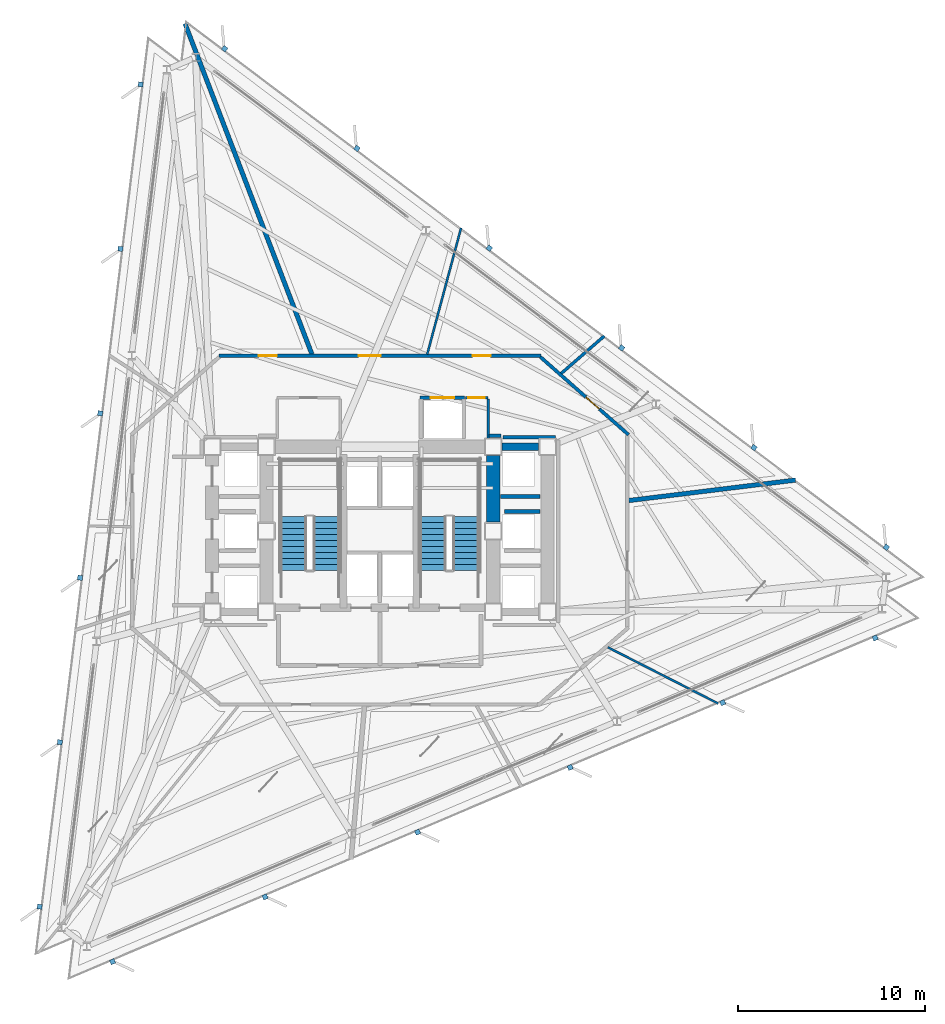
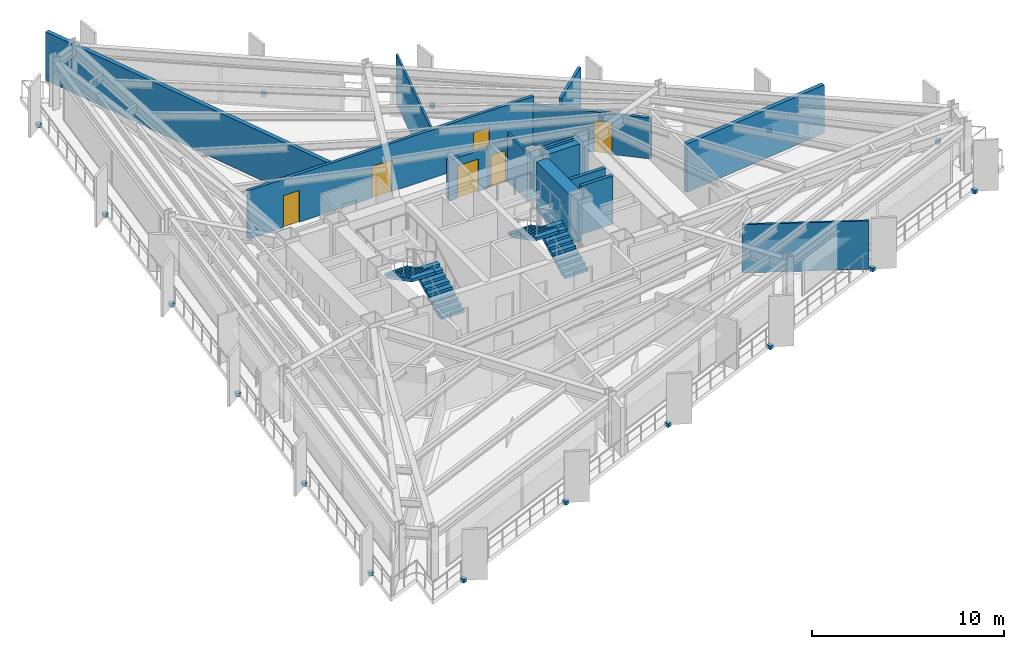
# One storey, part 8 of 13: 18 discrete accessories, 16 walls, 6 doors, 4 stair flights, 6 openings, 2 elements without a shape of their own.
"""IFC4 building model written with IfcOpenShell, lengths in metres."""

import ifcopenshell
import ifcopenshell.guid

model = None  # the IFC model being written
_history = None  # IfcOwnerHistory: only IFC2X3 demands one
_inside = {}  # id of a spatial element -> (the spatial element, [elements in it])
_under = {}  # id of a project, library or spatial element -> (it, [spatial elements below it])
_declared = {}  # id of a project -> (the project, [libraries it declares])
_typed = {}  # id of a type object -> (the type object, [elements of that type])
_made_of = {}  # id of a material, layer set ... -> (it, [elements and type objects made of it])


def new_model(schema):
    """Start an empty IFC model of exactly this schema.

    Asked for "IFC4X3", IfcOpenShell would pick the latest addendum, in which some entities
    have other attributes; the version numbers below select the first issue.
    IFC2X3 requires an IfcOwnerHistory on every rooted entity: one is made here for all.
    """
    global model, _history
    if schema == "IFC4X3":
        model = ifcopenshell.file(schema_version=(4, 3, 0, 0))
    else:
        model = ifcopenshell.file(schema=schema)
    _inside.clear()
    _under.clear()
    _declared.clear()
    _typed.clear()
    _made_of.clear()
    _history = None
    if model.schema == "IFC2X3":
        org = make("IfcOrganization", Name="unknown")
        user = make(
            "IfcPersonAndOrganization",
            ThePerson=make("IfcPerson", FamilyName="unknown"),
            TheOrganization=org,
        )
        app = make(
            "IfcApplication",
            ApplicationDeveloper=org,
            Version="unknown",
            ApplicationFullName="unknown",
            ApplicationIdentifier="unknown",
        )
        _history = make(
            "IfcOwnerHistory",
            OwningUser=user,
            OwningApplication=app,
            ChangeAction="ADDED",
            CreationDate=0,
        )
    return model


def make(cls, **values):
    """One entity of the class cls with the attributes given. An attribute that is None is left unset."""
    return model.create_entity(
        cls, **{name: value for name, value in values.items() if value is not None}
    )


def rooted(cls, **values):
    """An entity with a GlobalId (a new one), such as an element, a storey or a relation."""
    return make(cls, GlobalId=ifcopenshell.guid.new(), OwnerHistory=_history, **values)


def si_unit(unit_type, name, prefix=None):
    """IfcSIUnit, for example si_unit("LENGTHUNIT", "METRE", prefix="MILLI")."""
    return make("IfcSIUnit", UnitType=unit_type, Prefix=prefix, Name=name)


def assignment(units):
    """IfcUnitAssignment: the units of a project."""
    return None if units is None else make("IfcUnitAssignment", Units=units)


def point(xyz):
    """IfcCartesianPoint."""
    return None if xyz is None else make("IfcCartesianPoint", Coordinates=xyz)


def direction(xyz):
    """IfcDirection."""
    return None if xyz is None else make("IfcDirection", DirectionRatios=xyz)


def frame(location, z_axis=None, x_axis=None):
    """IfcAxis2Placement3D, a coordinate frame: its origin and axes. An axis left out is left unset."""
    return make(
        "IfcAxis2Placement3D",
        Location=point(location),
        Axis=direction(z_axis),
        RefDirection=direction(x_axis),
    )


def frame_2d(location, x_axis=None):
    """IfcAxis2Placement2D, a coordinate frame in the plane: its origin and x axis."""
    return make(
        "IfcAxis2Placement2D", Location=point(location), RefDirection=direction(x_axis)
    )


def origin():
    """The frame at (0, 0, 0) with its axes left unset."""
    return frame((0.0, 0.0, 0.0))


def origin_2d():
    """The frame at (0, 0) in the plane with its x axis left unset."""
    return frame_2d((0.0, 0.0))


def place(relative_to, where):
    """IfcLocalPlacement: puts the frame where relative to a parent placement (None: the world)."""
    return make(
        "IfcLocalPlacement", PlacementRelTo=relative_to, RelativePlacement=where
    )


def context(
    kind, dimensions, precision=None, world=None, true_north=None, identifier=None
):
    """IfcGeometricRepresentationContext, for example the 3D "Model" context."""
    return make(
        "IfcGeometricRepresentationContext",
        ContextIdentifier=identifier,
        ContextType=kind,
        CoordinateSpaceDimension=dimensions,
        Precision=precision,
        WorldCoordinateSystem=world,
        TrueNorth=true_north,
    )


def subcontext(parent, identifier, kind, view, scale=None):
    """IfcGeometricRepresentationSubContext, for example "Body" below "Model"."""
    return make(
        "IfcGeometricRepresentationSubContext",
        ContextIdentifier=identifier,
        ContextType=kind,
        ParentContext=parent,
        TargetScale=scale,
        TargetView=view,
    )


def project(units=None, contexts=None):
    """IfcProject with its units and contexts."""
    return rooted(
        "IfcProject",
        Name="project",
        RepresentationContexts=contexts,
        UnitsInContext=assignment(units),
    )


def spatial(cls, under=None, at=None, **own):
    """A site, building, storey or space (cls), placed at a placement, below another one or the project."""
    s = rooted(cls, ObjectPlacement=at, **own)
    if under is not None:
        _under.setdefault(under.id(), (under, []))[1].append(s)
    return s


def polyline(points):
    """IfcPolyline through the points."""
    return make("IfcPolyline", Points=[point(p) for p in points])


def profile(cls, at=None, kind="AREA", **sizes):
    """A parametric profile (cls). Its sizes go by their IFC names, for example OverallWidth=200.0."""
    return make(cls, ProfileType=kind, Position=at, **sizes)


def rectangle(**sizes):
    """IfcRectangleProfileDef."""
    return profile("IfcRectangleProfileDef", **sizes)


def outline(outer, holes=None, kind="AREA"):
    """IfcArbitraryClosedProfileDef: a profile drawn as a closed curve; with holes, ...WithVoids."""
    if holes is None:
        return make("IfcArbitraryClosedProfileDef", ProfileType=kind, OuterCurve=outer)
    return make(
        "IfcArbitraryProfileDefWithVoids",
        ProfileType=kind,
        OuterCurve=outer,
        InnerCurves=holes,
    )


def extrude(swept, where, along, depth):
    """IfcExtrudedAreaSolid: the profile swept, set in the frame where, extruded along a direction by depth."""
    return make(
        "IfcExtrudedAreaSolid",
        SweptArea=swept,
        Position=where,
        ExtrudedDirection=direction(along),
        Depth=depth,
    )


def shape(context_of_items, identifier, shape_type, items):
    """IfcShapeRepresentation: the items that make up one representation, for example the "Body"."""
    return make(
        "IfcShapeRepresentation",
        ContextOfItems=context_of_items,
        RepresentationIdentifier=identifier,
        RepresentationType=shape_type,
        Items=items,
    )


def material(Name=None, Category=None):
    """IfcMaterial."""
    return make("IfcMaterial", Name=Name, Category=Category)


def layer(
    of_material, thickness, ventilated=None, Name=None, Category=None, Priority=None
):
    """IfcMaterialLayer: one layer of a wall or slab, of a material (None: an air gap)."""
    return make(
        "IfcMaterialLayer",
        Material=of_material,
        LayerThickness=thickness,
        IsVentilated=ventilated,
        Name=Name,
        Category=Category,
        Priority=Priority,
    )


def layer_set(layers, Name=None):
    """IfcMaterialLayerSet."""
    return make("IfcMaterialLayerSet", MaterialLayers=layers, LayerSetName=Name)


def made_of(thing, what):
    """Note that an element or type object is made of a material, layer set ...; save() writes the relation."""
    if what is not None:
        _made_of.setdefault(what.id(), (what, []))[1].append(thing)
    return thing


def type_object(cls, material=None, **own):
    """A type object (cls), such as IfcWallType, which elements share."""
    return made_of(rooted(cls, **own), material)


def element(
    cls,
    number,
    at=None,
    inside=None,
    cuts=None,
    type_object=None,
    material=None,
    context=None,
    identifier="Body",
    shape_type=None,
    held_by="IfcProductDefinitionShape",
    body=None,
    shapes=None,
    **own,
):
    """One element of the class cls, such as IfcWall. Its Tag is "e" and its number.

    at: its placement. inside: the storey or other place that contains it. cuts: it is an
    opening in that element (IfcRelVoidsElement). A single representation is given by context,
    identifier, shape_type and body (its items); several are given by shapes. held_by: the class
    of the entity that holds the representations. save() writes the other relations.
    """
    e = rooted(cls, Tag="e%d" % number, ObjectPlacement=at, **own)
    if body is not None:
        shapes = [shape(context, identifier, shape_type, body)]
    if shapes is not None:
        e.Representation = make(held_by, Representations=shapes)
    if inside is not None:
        _inside.setdefault(inside.id(), (inside, []))[1].append(e)
    if cuts is not None:
        rooted(
            "IfcRelVoidsElement", RelatingBuildingElement=cuts, RelatedOpeningElement=e
        )
    if type_object is not None:
        _typed.setdefault(type_object.id(), (type_object, []))[1].append(e)
    return made_of(e, material)


def fill(opening, filler):
    """IfcRelFillsElement: the door or window that sits in an opening."""
    return rooted(
        "IfcRelFillsElement",
        RelatingOpeningElement=opening,
        RelatedBuildingElement=filler,
    )


def aggregate(whole, parts):
    """IfcRelAggregates: a whole, such as a stair, and the parts it consists of."""
    return rooted("IfcRelAggregates", RelatingObject=whole, RelatedObjects=parts)


def save(model, path):
    """Write the relations noted so far, then the file.

    IfcRelAggregates (storeys below a building ...), IfcRelContainedInSpatialStructure (elements
    in a storey), IfcRelDefinesByType, IfcRelAssociatesMaterial and IfcRelDeclares: one each for
    every whole, place, type object, material and project.
    """
    for whole, parts in _under.values():
        aggregate(whole, parts)
    for where, things in _inside.values():
        rooted(
            "IfcRelContainedInSpatialStructure",
            RelatedElements=things,
            RelatingStructure=where,
        )
    for kind, things in _typed.values():
        rooted("IfcRelDefinesByType", RelatedObjects=things, RelatingType=kind)
    for what, things in _made_of.values():
        rooted("IfcRelAssociatesMaterial", RelatedObjects=things, RelatingMaterial=what)
    for by, libraries in _declared.values():
        rooted("IfcRelDeclares", RelatingContext=by, RelatedDefinitions=libraries)
    model.write(path)


model = new_model("IFC4")

# Units and contexts
model_context = context("Model", 3, precision=1e-05, world=origin(), true_north=direction((0.0, 1.0)))
body_context = subcontext(model_context, "Body", "Model", "MODEL_VIEW")
ifc_project = project(units=[si_unit("LENGTHUNIT", "METRE"), si_unit("AREAUNIT", "SQUARE_METRE"), si_unit("VOLUMEUNIT", "CUBIC_METRE"), si_unit("PLANEANGLEUNIT", "RADIAN"), si_unit("MASSUNIT", "GRAM", prefix="KILO")], contexts=[model_context])

# Site, building, storey
site_placement = place(None, origin())
site = spatial("IfcSite", under=ifc_project, at=site_placement, CompositionType="ELEMENT")
building_placement = place(site_placement, origin())
building = spatial("IfcBuilding", under=site, at=building_placement, Name="Rocaltana Carrier Exchange", CompositionType="ELEMENT")
storey_placement = place(building_placement, frame((0.0, 0.0, 66.39990234375)))
storey = spatial("IfcBuildingStorey", under=building, at=storey_placement, Name="L20", CompositionType="ELEMENT", Elevation=66.39990234375)

# Walls
ifc_material_1 = material(Name="Double Acoustic Gypsum Partition", Category="gypsum")
ifc_layer_1 = layer(ifc_material_1, 0.159912109375)
ifc_layer_set_1 = layer_set([ifc_layer_1], Name="Double Acoustic Gypsum Partition")
wall_type_1 = type_object("IfcWallType", Name="Acoustic Studio Partition 160 EI60", PredefinedType="PARTITIONING", material=ifc_layer_set_1)
wall_1_placement = place(storey_placement, frame((9.68017578125, 8.414794921875, 0.0), z_axis=(0.0, 0.0, 1.0), x_axis=(0.754716123846, 0.656051501337, 0.0)))
element("IfcWall", 1, at=wall_1_placement, inside=storey, type_object=wall_type_1, Name="L20 Suite Divider Wall D7", PredefinedType="PARTITIONING", context=body_context, shape_type="SweptSolid", body=[
    extrude(rectangle(XDim=3.041015625, YDim=0.159912109375, at=frame_2d((1.5205078125, 0.0))), origin(), (0.0, 0.0, 1.0), 3.072998046875),
])
ifc_material_2 = material(Name="Concrete C50/60", Category="concrete")
ifc_layer_2 = layer(ifc_material_2, 0.39990234375)
ifc_layer_set_2 = layer_set([ifc_layer_2], Name="Concrete C50/60")
wall_type_2 = type_object("IfcWallType", Name="Core Internal Shear Wall 400", PredefinedType="SHEAR", material=ifc_layer_set_2)
wall_2_placement = place(storey_placement, frame((6.52490234375, 4.5, 0.0), z_axis=(0.0, 0.0, 1.0), x_axis=(1.0, 0.0, 0.0)))
element("IfcWall", 2, at=wall_2_placement, inside=storey, type_object=wall_type_2, Name="L20 Core Shear Wall CW-EWN", PredefinedType="SHEAR", context=body_context, shape_type="SweptSolid", body=[
    extrude(rectangle(XDim=1.9501953125, YDim=0.39990234375, at=frame_2d((0.97509765625, 0.0))), origin(), (0.0, 0.0, 1.0), 3.09814453125),
])
ifc_material_3 = material(Name="Concrete C60/75", Category="concrete")
ifc_layer_3 = layer(ifc_material_3, 0.699951171875)
ifc_layer_set_3 = layer_set([ifc_layer_3], Name="Concrete C60/75")
wall_type_3 = type_object("IfcWallType", Name="Core Shear Wall 700", PredefinedType="SHEAR", material=ifc_layer_set_3)
wall_3_placement = place(storey_placement, frame((6.050048828125, 0.47509765625, 0.0), z_axis=(0.0, 0.0, 1.0), x_axis=(0.0, 1.0, 0.0)))
element("IfcWall", 3, at=wall_3_placement, inside=storey, type_object=wall_type_3, Name="L20 Core Shear Wall CW-EN", PredefinedType="SHEAR", context=body_context, shape_type="SweptSolid", body=[
    extrude(rectangle(XDim=3.5498046875, YDim=0.699951171875, at=frame_2d((1.77490234375, 0.0))), origin(), (0.0, 0.0, 1.0), 3.09814453125),
])

# Wall, openings, doors
ifc_material_4 = material(Name="Gypsum & Steel Stud Partition", Category="steel")
ifc_layer_4 = layer(ifc_material_4, 0.179931640625)
ifc_layer_set_4 = layer_set([ifc_layer_4], Name="Gypsum & Steel Stud Partition")
wall_type_4 = type_object("IfcWallType", Name="Corridor Fire Partition 180 EI60", PredefinedType="PARTITIONING", material=ifc_layer_set_4)
wall_4_placement = place(storey_placement, frame((-8.590087890625, 9.35009765625, 0.0), z_axis=(0.0, 0.0, 1.0), x_axis=(1.0, 0.0, 0.0)))
wall_4 = element("IfcWall", 4, at=wall_4_placement, inside=storey, type_object=wall_type_4, Name="L20 Corridor Partition 1", PredefinedType="PARTITIONING", context=body_context, shape_type="SweptSolid", body=[
    extrude(rectangle(XDim=17.18017578125, YDim=0.179931640625, at=frame_2d((8.590087890625, 0.0))), origin(), (0.0, 0.0, 1.0), 3.072998046875),
])
opening_1_placement = place(wall_4_placement, frame((13.53955078125, 0.0, 0.0)))
opening_1 = element("IfcOpeningElement", 5, at=opening_1_placement, cuts=wall_4, Name="Opening D-RM098", PredefinedType="OPENING", context=body_context, shape_type="SweptSolid", body=[
    extrude(rectangle(XDim=0.9599609375, YDim=2.02001953125, at=frame_2d((0.47998046875, 1.010009765625))), frame((0.0, 0.099853515625, 0.0), z_axis=(0.0, -1.0, 0.0), x_axis=(1.0, 0.0, 0.0)), (0.0, 0.0, 1.0), 0.199951171875),
])
opening_2_placement = place(wall_4_placement, frame((7.453369140625, 0.0, 0.0)))
opening_2 = element("IfcOpeningElement", 6, at=opening_2_placement, cuts=wall_4, Name="Opening D-SU120", PredefinedType="OPENING", context=body_context, shape_type="SweptSolid", body=[
    extrude(rectangle(XDim=1.179931640625, YDim=2.02001953125, at=frame_2d((0.58984375, 1.010009765625))), frame((0.0, 0.099853515625, 0.0), z_axis=(0.0, -1.0, 0.0), x_axis=(1.0, 0.0, 0.0)), (0.0, 0.0, 1.0), 0.199951171875),
])
opening_3_placement = place(wall_4_placement, frame((2.132568359375, 0.0, 0.0)))
opening_3 = element("IfcOpeningElement", 7, at=opening_3_placement, cuts=wall_4, Name="Opening D-RM098", PredefinedType="OPENING", context=body_context, shape_type="SweptSolid", body=[
    extrude(rectangle(XDim=0.9599609375, YDim=2.02001953125, at=frame_2d((0.47998046875, 1.010009765625))), frame((0.0, 0.099853515625, 0.0), z_axis=(0.0, -1.0, 0.0), x_axis=(1.0, 0.0, 0.0)), (0.0, 0.0, 1.0), 0.199951171875),
])
ifc_material_5 = material(Name="Engineered Hardwood Timber", Category="wood")
door_type_1 = type_object("IfcDoorType", Name="Suite Double Entrance Door 1180x2020", OperationType="NOTDEFINED", PredefinedType="DOOR", material=ifc_material_5)
door_1_placement = place(opening_2_placement, origin())
door_1 = element("IfcDoor", 8, at=door_1_placement, inside=storey, type_object=door_type_1, Name="L20 Carrier Peering Suite Entrance Door", OperationType="SINGLE_SWING_LEFT", OverallHeight=2.02001953125, OverallWidth=1.179931640625, PredefinedType="DOOR", context=body_context, shape_type="SweptSolid", body=[
    extrude(rectangle(XDim=1.179931640625, YDim=2.02001953125, at=frame_2d((0.58984375, 1.010009765625))), frame((0.0, 0.02490234375, 0.0), z_axis=(0.0, -1.0, 0.0), x_axis=(1.0, 0.0, 0.0)), (0.0, 0.0, 1.0), 0.050048828125),
])
fill(opening_2, door_1)
ifc_material_6 = material(Name="Engineered Hardwood Timber", Category="wood")
door_type_2 = type_object("IfcDoorType", Name="Workspace Single Door 960x2020", OperationType="NOTDEFINED", PredefinedType="DOOR", material=ifc_material_6)
door_2_placement = place(opening_1_placement, origin())
door_2 = element("IfcDoor", 9, at=door_2_placement, inside=storey, type_object=door_type_2, Name="L20 Quiet Focus Lounge Entrance Door", OperationType="SINGLE_SWING_RIGHT", OverallHeight=2.02001953125, OverallWidth=0.9599609375, PredefinedType="DOOR", context=body_context, shape_type="SweptSolid", body=[
    extrude(rectangle(XDim=0.9599609375, YDim=2.02001953125, at=frame_2d((0.47998046875, 1.010009765625))), frame((0.0, 0.02490234375, 0.0), z_axis=(0.0, -1.0, 0.0), x_axis=(1.0, 0.0, 0.0)), (0.0, 0.0, 1.0), 0.050048828125),
])
fill(opening_1, door_2)
door_3_placement = place(opening_3_placement, origin())
door_3 = element("IfcDoor", 10, at=door_3_placement, inside=storey, type_object=door_type_2, Name="L20 Client Reception Foyer Entrance Door", OperationType="SINGLE_SWING_RIGHT", OverallHeight=2.02001953125, OverallWidth=0.9599609375, PredefinedType="DOOR", context=body_context, shape_type="SweptSolid", body=[
    extrude(rectangle(XDim=0.9599609375, YDim=2.02001953125, at=frame_2d((0.47998046875, 1.010009765625))), frame((0.0, 0.02490234375, 0.0), z_axis=(0.0, -1.0, 0.0), x_axis=(1.0, 0.0, 0.0)), (0.0, 0.0, 1.0), 0.050048828125),
])
fill(opening_3, door_3)

# Wall, opening, door
wall_5_placement = place(storey_placement, frame((8.5673828125, 9.290283203125, 0.0), z_axis=(0.0, 0.0, 1.0), x_axis=(0.749626463267, -0.66186113768, 0.0)))
wall_5 = element("IfcWall", 11, at=wall_5_placement, inside=storey, type_object=wall_type_4, Name="L20 Corridor Partition 2", PredefinedType="PARTITIONING", context=body_context, shape_type="SweptSolid", body=[
    extrude(rectangle(XDim=6.27001953125, YDim=0.179931640625, at=frame_2d((3.135009765625, 0.0))), origin(), (0.0, 0.0, 1.0), 2.587158203125),
])
opening_4_placement = place(wall_5_placement, frame((3.23193359375, 0.0, 0.0)))
opening_4 = element("IfcOpeningElement", 12, at=opening_4_placement, cuts=wall_5, Name="Opening D-RM098", PredefinedType="OPENING", context=body_context, shape_type="SweptSolid", body=[
    extrude(rectangle(XDim=0.9599609375, YDim=2.02001953125, at=frame_2d((0.47998046875, 1.010009765625))), frame((0.0, 0.099853515625, 0.0), z_axis=(0.0, -1.0, 0.0), x_axis=(1.0, 0.0, 0.0)), (0.0, 0.0, 1.0), 0.199951171875),
])
door_4_placement = place(opening_4_placement, origin())
door_4 = element("IfcDoor", 13, at=door_4_placement, inside=storey, type_object=door_type_2, Name="L20 Client Reception Foyer Entrance Door", OperationType="SINGLE_SWING_LEFT", OverallHeight=2.02001953125, OverallWidth=0.9599609375, PredefinedType="DOOR", context=body_context, shape_type="SweptSolid", body=[
    extrude(rectangle(XDim=0.9599609375, YDim=2.02001953125, at=frame_2d((0.47998046875, 1.010009765625))), frame((0.0, 0.02490234375, 0.0), z_axis=(0.0, -1.0, 0.0), x_axis=(1.0, 0.0, 0.0)), (0.0, 0.0, 1.0), 0.050048828125),
])
fill(opening_4, door_4)

# Walls
wall_6_placement = place(storey_placement, frame((9.3701171875, 5.010009765625, 0.0), z_axis=(0.0, 0.0, 1.0), x_axis=(-1.0, 0.0, 0.0)))
element("IfcWall", 14, at=wall_6_placement, inside=storey, type_object=wall_type_4, Name="L20 Corridor Partition 18", PredefinedType="PARTITIONING", context=body_context, shape_type="SweptSolid", body=[
    extrude(rectangle(XDim=2.807861328125, YDim=0.179931640625, at=frame_2d((1.40380859375, 0.0))), origin(), (0.0, 0.0, 1.0), 3.072998046875),
])
wall_7_placement = place(storey_placement, frame((6.469970703125, 5.080078125, 0.0), z_axis=(0.0, 0.0, 1.0), x_axis=(-1.0, 0.0, 0.0)))
element("IfcWall", 15, at=wall_7_placement, inside=storey, type_object=wall_type_4, Name="L20 Corridor Partition 19", PredefinedType="PARTITIONING", context=body_context, shape_type="SweptSolid", body=[
    extrude(rectangle(XDim=0.64990234375, YDim=0.179931640625, at=frame_2d((0.324951171875, 0.0))), origin(), (0.0, 0.0, 1.0), 3.072998046875),
])
ifc_material_7 = material(Name="Aluminium 6063-T6 & Acoustic Glass", Category="aluminium")
ifc_layer_5 = layer(ifc_material_7, 0.114990234375)
ifc_layer_set_5 = layer_set([ifc_layer_5], Name="Aluminium 6063-T6 & Acoustic Glass")
wall_type_5 = type_object("IfcWallType", Name="Demountable Glazed Lab Partition 115", PredefinedType="MOVABLE", material=ifc_layer_set_5)
wall_8_placement = place(storey_placement, frame((12.164306640625, -6.197998046875, 0.0), z_axis=(0.0, 0.0, 1.0), x_axis=(0.891002560884, -0.453998278079, 0.0)))
element("IfcWall", 16, at=wall_8_placement, inside=storey, type_object=wall_type_5, Name="L20 Suite Divider Wall D5", PredefinedType="MOVABLE", context=body_context, shape_type="SweptSolid", body=[
    extrude(rectangle(XDim=6.6083984375, YDim=0.114990234375, at=frame_2d((3.30419921875, 0.0))), origin(), (0.0, 0.0, 1.0), 3.072998046875),
])
wall_9_placement = place(storey_placement, frame((2.52685546875, 9.429931640625, 0.0), z_axis=(0.0, 0.0, 1.0), x_axis=(0.258803716415, 0.965929933468, 0.0)))
element("IfcWall", 17, at=wall_9_placement, inside=storey, type_object=wall_type_5, Name="L20 Suite Divider Wall D8", PredefinedType="MOVABLE", context=body_context, shape_type="SweptSolid", body=[
    extrude(rectangle(XDim=6.97705078125, YDim=0.114990234375, at=frame_2d((3.488525390625, 0.0))), origin(), (0.0, 0.0, 1.0), 3.072998046875),
])
ifc_material_8 = material(Name="Acoustic Calcium Silicate Partition", Category="gypsum")
ifc_layer_6 = layer(ifc_material_8, 0.239990234375)
ifc_layer_set_6 = layer_set([ifc_layer_6], Name="Acoustic Calcium Silicate Partition")
wall_type_6 = type_object("IfcWallType", Name="Heavy Lab Partition 240 EI90", PredefinedType="PARTITIONING", material=ifc_layer_set_6)
wall_10_placement = place(storey_placement, frame((13.280029296875, 1.630615234375, 0.0), z_axis=(0.0, 0.0, 1.0), x_axis=(0.992547039209, 0.121862114529, 0.0)))
element("IfcWall", 18, at=wall_10_placement, inside=storey, type_object=wall_type_6, Name="L20 Suite Divider Wall D6", PredefinedType="PARTITIONING", context=body_context, shape_type="SweptSolid", body=[
    extrude(rectangle(XDim=8.96337890625, YDim=0.239990234375, at=frame_2d((4.481689453125, 0.0))), origin(), (0.0, 0.0, 1.0), 3.072998046875),
])
wall_11_placement = place(storey_placement, frame((-3.619873046875, 9.429931640625, 0.0), z_axis=(0.0, 0.0, 1.0), x_axis=(-0.358366182081, 0.933581104961, 0.0)))
element("IfcWall", 19, at=wall_11_placement, inside=storey, type_object=wall_type_6, Name="L20 Suite Divider Wall D9", PredefinedType="PARTITIONING", context=body_context, shape_type="SweptSolid", body=[
    extrude(rectangle(XDim=18.90087890625, YDim=0.239990234375, at=frame_2d((9.450439453125, 0.0))), origin(), (0.0, 0.0, 1.0), 3.072998046875),
])

# Wall, opening, door
ifc_material_9 = material(Name="Reinforced Concrete Block C35/45", Category="concrete")
ifc_layer_7 = layer(ifc_material_9, 0.199951171875)
ifc_layer_set_7 = layer_set([ifc_layer_7], Name="Reinforced Concrete Block C35/45")
wall_type_7 = type_object("IfcWallType", Name="Lift Hoistway Enclosure Wall 200 EI120", PredefinedType="PARTITIONING", material=ifc_layer_set_7)
wall_12_placement = place(storey_placement, frame((2.14990234375, 7.1201171875, 0.0), z_axis=(0.0, 0.0, 1.0), x_axis=(1.0, 0.0, 0.0)))
wall_12 = element("IfcWall", 20, at=wall_12_placement, inside=storey, type_object=wall_type_7, Name="L20 Goods Lift Front Wall", PredefinedType="PARTITIONING", context=body_context, shape_type="SweptSolid", body=[
    extrude(rectangle(XDim=2.380126953125, YDim=0.199951171875, at=frame_2d((1.18994140625, 0.0))), origin(), (0.0, 0.0, 1.0), 2.587158203125),
])
opening_5_placement = place(wall_12_placement, frame((0.56005859375, 0.0, 0.0)))
opening_5 = element("IfcOpeningElement", 21, at=opening_5_placement, cuts=wall_12, Name="Opening LD-130", PredefinedType="OPENING", context=body_context, shape_type="SweptSolid", body=[
    extrude(rectangle(XDim=1.260009765625, YDim=2.06005859375, at=frame_2d((0.6298828125, 1.030029296875))), frame((0.0, 0.10986328125, 0.0), z_axis=(0.0, -1.0, 0.0), x_axis=(1.0, 0.0, 0.0)), (0.0, 0.0, 1.0), 0.219970703125),
])
ifc_material_10 = material(Name="Brushed Stainless Sliding Door Leaf", Category="steel")
door_type_3 = type_object("IfcDoorType", Name="Goods Lift Landing Sliding Door 1260x2060", OperationType="NOTDEFINED", PredefinedType="DOOR", material=ifc_material_10)
door_5_placement = place(opening_5_placement, origin())
door_5 = element("IfcDoor", 22, at=door_5_placement, inside=storey, type_object=door_type_3, Name="L20 Goods Lift GL-1 Landing Door", OperationType="SLIDING_TO_LEFT", OverallHeight=2.06005859375, OverallWidth=1.260009765625, PredefinedType="DOOR", context=body_context, shape_type="SweptSolid", body=[
    extrude(rectangle(XDim=1.260009765625, YDim=2.06005859375, at=frame_2d((0.6298828125, 1.030029296875))), frame((0.0, 0.02490234375, 0.0), z_axis=(0.0, -1.0, 0.0), x_axis=(1.0, 0.0, 0.0)), (0.0, 0.0, 1.0), 0.050048828125),
])
fill(opening_5, door_5)

# Walls
wall_13_placement = place(storey_placement, frame((6.449951171875, 1.85009765625, 0.0), z_axis=(0.0, 0.0, 1.0), x_axis=(1.0, 0.0, 0.0)))
element("IfcWall", 23, at=wall_13_placement, inside=storey, type_object=wall_type_7, Name="L20 Mid-Rise Shaft Divider 2", PredefinedType="PARTITIONING", context=body_context, shape_type="SweptSolid", body=[
    extrude(rectangle(XDim=2.10009765625, YDim=0.199951171875, at=frame_2d((1.050048828125, 0.0))), origin(), (0.0, 0.0, 1.0), 3.072998046875),
])
wall_14_placement = place(storey_placement, frame((6.639892578125, 1.050048828125, 0.0), z_axis=(0.0, 0.0, 1.0), x_axis=(1.0, 0.0, 0.0)))
element("IfcWall", 24, at=wall_14_placement, inside=storey, type_object=wall_type_7, Name="L20 Mid-Rise Center Shaft Wall North", PredefinedType="PARTITIONING", context=body_context, shape_type="SweptSolid", body=[
    extrude(rectangle(XDim=1.91015625, YDim=0.199951171875, at=frame_2d((0.955078125, 0.0))), origin(), (0.0, 0.0, 1.0), 3.072998046875),
])
ifc_material_11 = material(Name="Moisture-Resistant Masonry C30/37", Category="masonry")
ifc_layer_8 = layer(ifc_material_11, 0.139892578125)
ifc_layer_set_8 = layer_set([ifc_layer_8], Name="Moisture-Resistant Masonry C30/37")
wall_type_8 = type_object("IfcWallType", Name="Wet-Area Sanitary Partition 140", PredefinedType="PARTITIONING", material=ifc_layer_set_8)
wall_15_placement = place(storey_placement, frame((5.780029296875, 4.949951171875, 0.0), z_axis=(0.0, 0.0, 1.0), x_axis=(0.0, 1.0, 0.0)))
element("IfcWall", 25, at=wall_15_placement, inside=storey, type_object=wall_type_8, Name="L20 Restroom East Wall", PredefinedType="PARTITIONING", context=body_context, shape_type="SweptSolid", body=[
    extrude(rectangle(XDim=2.10009765625, YDim=0.139892578125, at=frame_2d((1.050048828125, 0.0))), origin(), (0.0, 0.0, 1.0), 3.072998046875),
])

# Wall, opening, door
wall_16_placement = place(storey_placement, frame((4.56005859375, 7.1201171875, 0.0), z_axis=(0.0, 0.0, 1.0), x_axis=(1.0, 0.0, 0.0)))
wall_16 = element("IfcWall", 26, at=wall_16_placement, inside=storey, type_object=wall_type_8, Name="L20 Restroom North Wall", PredefinedType="PARTITIONING", context=body_context, shape_type="SweptSolid", body=[
    extrude(rectangle(XDim=1.219970703125, YDim=0.139892578125, at=frame_2d((0.60986328125, 0.0))), origin(), (0.0, 0.0, 1.0), 2.587158203125),
])
opening_6_placement = place(wall_16_placement, frame((0.169921875, 0.0, 0.0)))
opening_6 = element("IfcOpeningElement", 27, at=opening_6_placement, cuts=wall_16, Name="Opening D-WC090", PredefinedType="OPENING", context=body_context, shape_type="SweptSolid", body=[
    extrude(rectangle(XDim=0.8798828125, YDim=2.02001953125, at=frame_2d((0.43994140625, 1.010009765625))), frame((0.0, 0.079833984375, 0.0), z_axis=(0.0, -1.0, 0.0), x_axis=(1.0, 0.0, 0.0)), (0.0, 0.0, 1.0), 0.159912109375),
])
ifc_material_12 = material(Name="High-Pressure Laminate Timber", Category="wood")
door_type_4 = type_object("IfcDoorType", Name="Restroom & Accessible WC Door 880x2020", OperationType="NOTDEFINED", PredefinedType="DOOR", material=ifc_material_12)
door_6_placement = place(opening_6_placement, origin())
door_6 = element("IfcDoor", 28, at=door_6_placement, inside=storey, type_object=door_type_4, Name="L20 Staff Restroom Door", OperationType="SINGLE_SWING_RIGHT", OverallHeight=2.02001953125, OverallWidth=0.8798828125, PredefinedType="DOOR", context=body_context, shape_type="SweptSolid", body=[
    extrude(rectangle(XDim=0.8798828125, YDim=2.02001953125, at=frame_2d((0.43994140625, 1.010009765625))), frame((0.0, 0.02490234375, 0.0), z_axis=(0.0, -1.0, 0.0), x_axis=(1.0, 0.0, 0.0)), (0.0, 0.0, 1.0), 0.050048828125),
])
fill(opening_6, door_6)

# Stair, stair flights
ifc_material_13 = material(Name="Precast concrete C45/55", Category="concrete")
stair_type = type_object("IfcStairType", Name="Standard Dog-Leg Stair 160", PredefinedType="HALF_TURN_STAIR", material=ifc_material_13)
stair_1_placement = place(storey_placement, origin())
stair_1 = element("IfcStair", 29, at=stair_1_placement, inside=storey, type_object=stair_type, Name="L20 Core West Exit Stair ST-1", PredefinedType="HALF_TURN_STAIR")
ifc_material_14 = material(Name="Precast concrete C45/55", Category="concrete")
stair_flight_type = type_object("IfcStairFlightType", Name="Precast Stair Flight 160", PredefinedType="STRAIGHT", material=ifc_material_14)
stair_flight_1_placement = place(storey_placement, frame((-2.840087890625, -2.10009765625, 0.0), z_axis=(0.0, 0.0, 1.0), x_axis=(0.0, 1.0, 0.0)))
stair_flight_1 = element("IfcStairFlight", 30, at=stair_flight_1_placement, type_object=stair_flight_type, Name="ST-1 flight 1", NumberOfRisers=10, NumberOfTreads=9, PredefinedType="STRAIGHT", RiserHeight=0.168, TreadLength=0.32, context=body_context, shape_type="SweptSolid", body=[
    extrude(outline(polyline([(0.0, 0.0), (0.0, 0.16796875), (0.320068359375, 0.16796875), (0.320068359375, 0.3359375), (0.639892578125, 0.3359375), (0.639892578125, 0.50390625), (0.9599609375, 0.50390625), (0.9599609375, 0.672119140625), (1.280029296875, 0.672119140625), (1.280029296875, 0.840087890625), (1.60009765625, 0.840087890625), (1.60009765625, 1.008056640625), (1.919921875, 1.008056640625), (1.919921875, 1.176025390625), (2.239990234375, 1.176025390625), (2.239990234375, 1.343994140625), (2.56005859375, 1.343994140625), (2.56005859375, 1.511962890625), (2.8798828125, 1.511962890625), (2.8798828125, 1.679931640625), (2.8798828125, 1.331298828125), (0.343994140625, 0.0), (0.0, 0.0)])), frame((0.0, 0.699951171875, 0.0), z_axis=(0.0, -1.0, 0.0), x_axis=(1.0, 0.0, 0.0)), (0.0, 0.0, 1.0), 1.39990234375),
])
stair_flight_2_placement = place(storey_placement, frame((-4.60009765625, 0.780029296875, 1.68017578125), z_axis=(0.0, 0.0, 1.0), x_axis=(0.0, -1.0, 0.0)))
stair_flight_2 = element("IfcStairFlight", 31, at=stair_flight_2_placement, type_object=stair_flight_type, Name="ST-1 flight 2", NumberOfRisers=10, NumberOfTreads=9, PredefinedType="STRAIGHT", RiserHeight=0.168, TreadLength=0.32, context=body_context, shape_type="SweptSolid", body=[
    extrude(outline(polyline([(0.0, 0.0), (0.0, 0.16796875), (0.320068359375, 0.16796875), (0.320068359375, 0.3359375), (0.639892578125, 0.3359375), (0.639892578125, 0.50390625), (0.9599609375, 0.50390625), (0.9599609375, 0.672119140625), (1.280029296875, 0.672119140625), (1.280029296875, 0.840087890625), (1.60009765625, 0.840087890625), (1.60009765625, 1.008056640625), (1.919921875, 1.008056640625), (1.919921875, 1.176025390625), (2.239990234375, 1.176025390625), (2.239990234375, 1.343994140625), (2.56005859375, 1.343994140625), (2.56005859375, 1.511962890625), (2.8798828125, 1.511962890625), (2.8798828125, 1.679931640625), (2.8798828125, 1.331298828125), (0.343994140625, 0.0), (0.0, 0.0)])), frame((0.0, 0.699951171875, 0.0), z_axis=(0.0, -1.0, 0.0), x_axis=(1.0, 0.0, 0.0)), (0.0, 0.0, 1.0), 1.39990234375),
])
aggregate(stair_1, [stair_flight_1, stair_flight_2])

stair_2_placement = place(storey_placement, origin())
stair_2 = element("IfcStair", 32, at=stair_2_placement, inside=storey, type_object=stair_type, Name="L20 Core East Exit Stair ST-2", PredefinedType="HALF_TURN_STAIR")
stair_flight_3_placement = place(storey_placement, frame((4.60009765625, -2.10009765625, 0.0), z_axis=(0.0, 0.0, 1.0), x_axis=(0.0, 1.0, 0.0)))
stair_flight_3 = element("IfcStairFlight", 33, at=stair_flight_3_placement, type_object=stair_flight_type, Name="ST-2 flight 1", NumberOfRisers=10, NumberOfTreads=9, PredefinedType="STRAIGHT", RiserHeight=0.168, TreadLength=0.32, context=body_context, shape_type="SweptSolid", body=[
    extrude(outline(polyline([(0.0, 0.0), (0.0, 0.16796875), (0.320068359375, 0.16796875), (0.320068359375, 0.3359375), (0.639892578125, 0.3359375), (0.639892578125, 0.50390625), (0.9599609375, 0.50390625), (0.9599609375, 0.672119140625), (1.280029296875, 0.672119140625), (1.280029296875, 0.840087890625), (1.60009765625, 0.840087890625), (1.60009765625, 1.008056640625), (1.919921875, 1.008056640625), (1.919921875, 1.176025390625), (2.239990234375, 1.176025390625), (2.239990234375, 1.343994140625), (2.56005859375, 1.343994140625), (2.56005859375, 1.511962890625), (2.8798828125, 1.511962890625), (2.8798828125, 1.679931640625), (2.8798828125, 1.331298828125), (0.343994140625, 0.0), (0.0, 0.0)])), frame((0.0, 0.699951171875, 0.0), z_axis=(0.0, -1.0, 0.0), x_axis=(1.0, 0.0, 0.0)), (0.0, 0.0, 1.0), 1.39990234375),
])
stair_flight_4_placement = place(storey_placement, frame((2.840087890625, 0.780029296875, 1.68017578125), z_axis=(0.0, 0.0, 1.0), x_axis=(0.0, -1.0, 0.0)))
stair_flight_4 = element("IfcStairFlight", 34, at=stair_flight_4_placement, type_object=stair_flight_type, Name="ST-2 flight 2", NumberOfRisers=10, NumberOfTreads=9, PredefinedType="STRAIGHT", RiserHeight=0.168, TreadLength=0.32, context=body_context, shape_type="SweptSolid", body=[
    extrude(outline(polyline([(0.0, 0.0), (0.0, 0.16796875), (0.320068359375, 0.16796875), (0.320068359375, 0.3359375), (0.639892578125, 0.3359375), (0.639892578125, 0.50390625), (0.9599609375, 0.50390625), (0.9599609375, 0.672119140625), (1.280029296875, 0.672119140625), (1.280029296875, 0.840087890625), (1.60009765625, 0.840087890625), (1.60009765625, 1.008056640625), (1.919921875, 1.008056640625), (1.919921875, 1.176025390625), (2.239990234375, 1.176025390625), (2.239990234375, 1.343994140625), (2.56005859375, 1.343994140625), (2.56005859375, 1.511962890625), (2.8798828125, 1.511962890625), (2.8798828125, 1.679931640625), (2.8798828125, 1.331298828125), (0.343994140625, 0.0), (0.0, 0.0)])), frame((0.0, 0.699951171875, 0.0), z_axis=(0.0, -1.0, 0.0), x_axis=(1.0, 0.0, 0.0)), (0.0, 0.0, 1.0), 1.39990234375),
])
aggregate(stair_2, [stair_flight_3, stair_flight_4])

# Discrete accessories
ifc_material_15 = material(Name="Brushed Architectural Stainless Metal", Category="steel")
ifc_layer_9 = layer(ifc_material_15, 0.219970703125)
ifc_layer_set_9 = layer_set([ifc_layer_9], Name="Brushed Architectural Stainless Metal")
discrete_accessory_type = type_object("IfcDiscreteAccessoryType", Name="Stainless Fin Slab-Edge Bracket 260x260x220", PredefinedType="BRACKET", material=ifc_layer_set_9)
for number, where, z_axis, x_axis, name in (
    (35, (27.0205078125, -0.86474609375, -0.2099609375), (0.0, 0.0, 1.0), (-0.798635510047, 0.601815023152, 0.0), "L20 Sandstone Fin Edge Bracket F1-01"),
    (36, (19.960693359375, 4.455322265625, -0.2099609375), (0.0, 0.0, 1.0), (-0.798635510047, 0.601815023152, 0.0), "L20 Sandstone Fin Edge Bracket F1-02"),
    (37, (12.900634765625, 9.775390625, -0.2099609375), (0.0, 0.0, 1.0), (-0.798635510047, 0.601815023152, 0.0), "L20 Sandstone Fin Edge Bracket F1-03"),
    (38, (5.8408203125, 15.095458984375, -0.2099609375), (0.0, 0.0, 1.0), (-0.798635510047, 0.601815023152, 0.0), "L20 Sandstone Fin Edge Bracket F1-04"),
    (39, (-1.21923828125, 20.415283203125, -0.2099609375), (0.0, 0.0, 1.0), (-0.798635510047, 0.601815023152, 0.0), "L20 Sandstone Fin Edge Bracket F1-05"),
    (40, (-8.279296875, 25.7353515625, -0.2099609375), (0.0, 0.0, 1.0), (-0.798635510047, 0.601815023152, 0.0), "L20 Sandstone Fin Edge Bracket F1-06"),
    (41, (-12.76123046875, 23.8330078125, -0.2099609375), (0.0, 0.0, 1.0), (-0.121869343405, -0.992546151641, 0.0), "L20 Sandstone Fin Edge Bracket F2-01"),
    (42, (-13.838623046875, 15.058837890625, -0.2099609375), (0.0, 0.0, 1.0), (-0.121869343405, -0.992546151641, 0.0), "L20 Sandstone Fin Edge Bracket F2-02"),
    (43, (-14.916015625, 6.28466796875, -0.2099609375), (0.0, 0.0, 1.0), (-0.121869343405, -0.992546151641, 0.0), "L20 Sandstone Fin Edge Bracket F2-03"),
    (44, (-15.993408203125, -2.489501953125, -0.2099609375), (0.0, 0.0, 1.0), (-0.121869343405, -0.992546151641, 0.0), "L20 Sandstone Fin Edge Bracket F2-04"),
    (45, (-17.070556640625, -11.263671875, -0.2099609375), (0.0, 0.0, 1.0), (-0.121869343405, -0.992546151641, 0.0), "L20 Sandstone Fin Edge Bracket F2-05"),
    (46, (-18.14794921875, -20.03759765625, -0.2099609375), (0.0, 0.0, 1.0), (-0.121869343405, -0.992546151641, 0.0), "L20 Sandstone Fin Edge Bracket F2-06"),
    (47, (-14.25927734375, -22.968017578125, -0.2099609375), (0.0, 0.0, 1.0), (0.920504853452, 0.390731128489, 0.0), "L20 Sandstone Fin Edge Bracket F3-01"),
    (48, (-6.121826171875, -19.513916015625, -0.2099609375), (0.0, 0.0, 1.0), (0.920504853452, 0.390731128489, 0.0), "L20 Sandstone Fin Edge Bracket F3-02"),
    (49, (2.015380859375, -16.06005859375, -0.2099609375), (0.0, 0.0, 1.0), (0.920504853452, 0.390731128489, 0.0), "L20 Sandstone Fin Edge Bracket F3-03"),
    (50, (10.152587890625, -12.60595703125, -0.2099609375), (0.0, 0.0, 1.0), (0.920504853452, 0.390731128489, 0.0), "L20 Sandstone Fin Edge Bracket F3-04"),
    (51, (18.289794921875, -9.15185546875, -0.2099609375), (0.0, 0.0, 1.0), (0.920504853452, 0.390731128489, 0.0), "L20 Sandstone Fin Edge Bracket F3-05"),
    (52, (26.427001953125, -5.69775390625, -0.2099609375), (0.0, 0.0, 1.0), (0.920504853452, 0.390731128489, 0.0), "L20 Sandstone Fin Edge Bracket F3-06"),
):
    element("IfcDiscreteAccessory", number, at=place(storey_placement, frame(where, z_axis=z_axis, x_axis=x_axis)), inside=storey, type_object=discrete_accessory_type, Name=name, PredefinedType="BRACKET", context=body_context, shape_type="SweptSolid", body=[
        extrude(rectangle(XDim=0.260009765625, YDim=0.260009765625, at=origin_2d()), origin(), (0.0, 0.0, 1.0), 0.219970703125),
    ])

save(model, "model.ifc")
